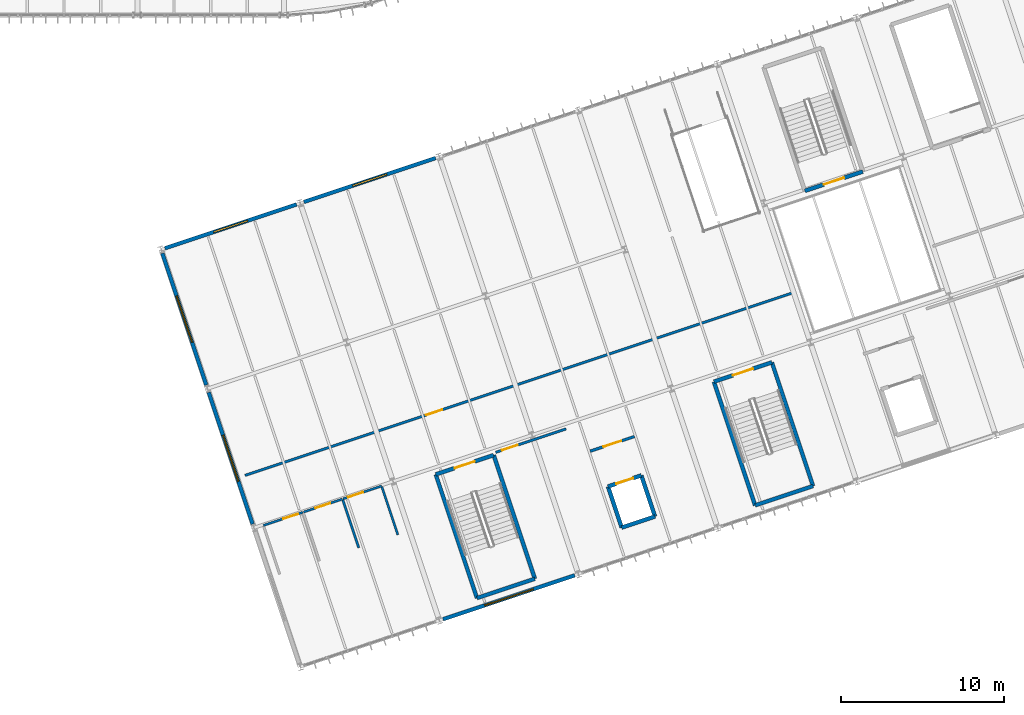
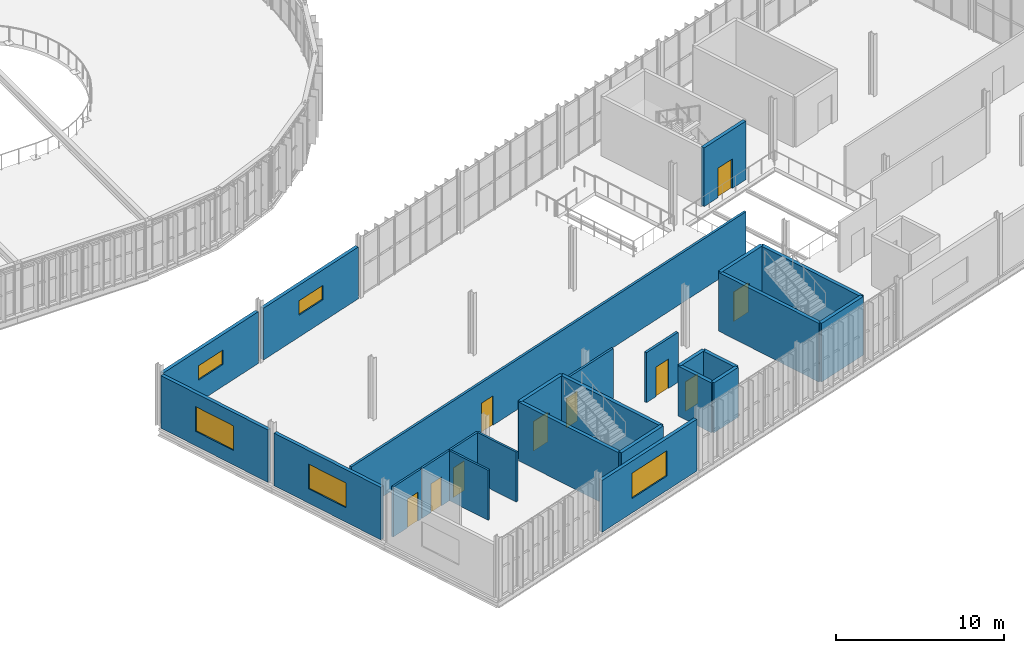
# One storey, part 120 of 152: 26 walls, 10 doors, 5 windows, 15 openings.
"""IFC4 building model written with IfcOpenShell, lengths in metres."""

from ifc_helpers import new_model, si_unit, derived_unit, direction, frame, frame_2d, origin, place, context, subcontext, project, spatial, rectangle, extrude, material, layer, layer_set, type_object, element, fill, save


model = new_model("IFC4")

# Units and contexts
model_context = context("Model", 3, precision=1e-05, world=origin(), true_north=direction((0.0, 1.0)))
body_context = subcontext(model_context, "Body", "Model", "MODEL_VIEW")
ifc_project = project(units=[si_unit("LENGTHUNIT", "METRE"), si_unit("AREAUNIT", "SQUARE_METRE"), si_unit("VOLUMEUNIT", "CUBIC_METRE"), si_unit("PLANEANGLEUNIT", "RADIAN"), si_unit("MASSUNIT", "GRAM", prefix="KILO"), si_unit("THERMODYNAMICTEMPERATUREUNIT", "KELVIN"), si_unit("TIMEUNIT", "SECOND"), derived_unit("THERMALTRANSMITTANCEUNIT", [(si_unit("MASSUNIT", "GRAM", prefix="KILO"), 1), (si_unit("THERMODYNAMICTEMPERATUREUNIT", "KELVIN"), -1), (si_unit("TIMEUNIT", "SECOND"), -3)])], contexts=[model_context])

# Site, building, storey
site_placement = place(None, origin())
site = spatial("IfcSite", under=ifc_project, at=site_placement, CompositionType="ELEMENT")
building_placement = place(site_placement, origin())
building = spatial("IfcBuilding", under=site, at=building_placement, Name="Cambertide Market Hall", CompositionType="ELEMENT")
storey_placement = place(building_placement, frame((0.0, 0.0, 5.39990234375)))
storey = spatial("IfcBuildingStorey", under=building, at=storey_placement, Name="L02", CompositionType="ELEMENT", Elevation=5.39990234375)

# Wall, opening, door
ifc_material_1 = material(Name="Autoclaved Aerated Concrete Blockwork M7.5", Category="masonry")
ifc_layer_1 = layer(ifc_material_1, 0.14990234375, Name="Culinary Classroom Acoustic Partition 150")
ifc_layer_set_1 = layer_set([ifc_layer_1], Name="Autoclaved Aerated Concrete Blockwork M7.5")
wall_type_1 = type_object("IfcWallType", Name="Culinary Classroom Acoustic Partition 150", PredefinedType="PARTITIONING", material=ifc_layer_set_1)
wall_1_placement = place(storey_placement, frame((118.000732421875, 25.1708984375, 0.0), z_axis=(0.0, 0.0, 1.0), x_axis=(0.94869402873, 0.316195572157, 0.0)))
wall_1 = element("IfcWall", 1, at=wall_1_placement, inside=storey, type_object=wall_type_1, Name="Level 2 Interior Wall IW-L02-V3S1", PredefinedType="PARTITIONING", context=body_context, shape_type="SweptSolid", body=[
    extrude(rectangle(XDim=4.550048828125, YDim=0.14990234375, at=frame_2d((2.27490234375, 0.0))), origin(), (0.0, 0.0, 1.0), 3.64013671875),
])
opening_1_placement = place(wall_1_placement, frame((0.39990234375, 0.0, 0.0)))
opening_1 = element("IfcOpeningElement", 2, at=opening_1_placement, cuts=wall_1, Name="Opening ID-03", PredefinedType="OPENING", context=body_context, shape_type="SweptSolid", body=[
    extrude(rectangle(XDim=1.0, YDim=2.14990234375, at=frame_2d((0.5, 1.074951171875))), frame((0.0, 0.0849609375, 0.0), z_axis=(0.0, -1.0, 0.0), x_axis=(1.0, 0.0, 0.0)), (0.0, 0.0, 1.0), 0.169921875),
])
ifc_material_2 = material(Name="Champagne Marine Anodized Aluminium 6063-T6 AA25", Category="aluminium")
door_type_1 = type_object("IfcDoorType", Name="Accessible Room Single Door 1000x2150", OperationType="NOTDEFINED", PredefinedType="DOOR", material=ifc_material_2)
door_1_placement = place(opening_1_placement, frame((1.0, 0.0, 0.0), z_axis=(0.0, 0.0, 1.0), x_axis=(-1.0, 0.0, 0.0)))
door_1 = element("IfcDoor", 3, at=door_1_placement, inside=storey, type_object=door_type_1, Name="Level 2 Door IW-L02-V3S1-DR1", OperationType="SINGLE_SWING_RIGHT", OverallHeight=2.14990234375, OverallWidth=1.0, PredefinedType="DOOR", context=body_context, shape_type="SweptSolid", body=[
    extrude(rectangle(XDim=1.0, YDim=2.14990234375, at=frame_2d((0.5, 1.074951171875))), frame((0.0, 0.02490234375, 0.0), z_axis=(0.0, -1.0, 0.0), x_axis=(1.0, 0.0, 0.0)), (0.0, 0.0, 1.0), 0.050048828125),
])
fill(opening_1, door_1)

ifc_material_3 = material(Name="Autoclaved Aerated Concrete Blockwork M7.5", Category="masonry")
ifc_layer_2 = layer(ifc_material_3, 0.159912109375, Name="Fire-Rated Corridor & Kitchen Partition 160")
ifc_layer_set_2 = layer_set([ifc_layer_2], Name="Autoclaved Aerated Concrete Blockwork M7.5")
wall_type_2 = type_object("IfcWallType", Name="Fire-Rated Corridor & Kitchen Partition 160", PredefinedType="PARTITIONING", material=ifc_layer_set_2)
wall_2_placement = place(storey_placement, frame((102.610107421875, 23.7509765625, 0.0), z_axis=(0.0, 0.0, 1.0), x_axis=(0.948683298051, 0.316227766017, 0.0)))
wall_2 = element("IfcWall", 4, at=wall_2_placement, inside=storey, type_object=wall_type_2, Name="Level 2 Interior Wall IW-L02-V3C-0", PredefinedType="PARTITIONING", context=body_context, shape_type="SweptSolid", body=[
    extrude(rectangle(XDim=35.5, YDim=0.159912109375, at=frame_2d((17.75, 0.0))), origin(), (0.0, 0.0, 1.0), 3.64013671875),
])
opening_2_placement = place(wall_2_placement, frame((11.712890625, 0.0, 0.0)))
opening_2 = element("IfcOpeningElement", 5, at=opening_2_placement, cuts=wall_2, Name="Opening KD-01", PredefinedType="OPENING", context=body_context, shape_type="SweptSolid", body=[
    extrude(rectangle(XDim=1.050048828125, YDim=2.14990234375, at=frame_2d((0.52490234375, 1.074951171875))), frame((0.0, 0.08984375, 0.0), z_axis=(0.0, -1.0, 0.0), x_axis=(1.0, 0.0, 0.0)), (0.0, 0.0, 1.0), 0.179931640625),
])
ifc_material_4 = material(Name="Stainless Steel Grade 316", Category="metal")
door_type_2 = type_object("IfcDoorType", Name="Kitchen & Lab Fire Door 1050x2150", OperationType="NOTDEFINED", PredefinedType="DOOR", material=ifc_material_4)
door_2_placement = place(opening_2_placement, origin())
door_2 = element("IfcDoor", 6, at=door_2_placement, inside=storey, type_object=door_type_2, Name="Level 2 Door IW-L02-V3C-0-DR1", OperationType="SINGLE_SWING_RIGHT", OverallHeight=2.14990234375, OverallWidth=1.050048828125, PredefinedType="DOOR", context=body_context, shape_type="SweptSolid", body=[
    extrude(rectangle(XDim=1.050048828125, YDim=2.14990234375, at=frame_2d((0.52490234375, 1.074951171875))), frame((0.0, 0.02490234375, 0.0), z_axis=(0.0, -1.0, 0.0), x_axis=(1.0, 0.0, 0.0)), (0.0, 0.0, 1.0), 0.050048828125),
])
fill(opening_2, door_2)

# Wall, opening, window
ifc_material_5 = material(Name="Autoclaved Aerated Concrete Blockwork M7.5", Category="masonry")
ifc_layer_3 = layer(ifc_material_5, 0.235107421875, Name="Food Court Acoustic Facade Wall 235")
ifc_layer_set_3 = layer_set([ifc_layer_3], Name="Autoclaved Aerated Concrete Blockwork M7.5")
wall_type_3 = type_object("IfcWallType", Name="Food Court Acoustic Facade Wall 235", PredefinedType="SOLIDWALL", material=ifc_layer_set_3)
wall_3_placement = place(storey_placement, frame((97.689453125, 37.6904296875, 0.0), z_axis=(0.0, 0.0, 1.0), x_axis=(0.948689028943, 0.316210572821, 0.0)))
wall_3 = element("IfcWall", 7, at=wall_3_placement, inside=storey, type_object=wall_type_3, Name="Level 2 Exterior Wall EW-L02-V3N-1", PredefinedType="SOLIDWALL", context=body_context, shape_type="SweptSolid", body=[
    extrude(rectangle(XDim=8.52001953125, YDim=0.235107421875, at=frame_2d((4.260009765625, 0.0))), origin(), (0.0, 0.0, 1.0), 3.775146484375),
])
opening_3_placement = place(wall_3_placement, frame((3.159912109375, 0.0, 1.60009765625)))
opening_3 = element("IfcOpeningElement", 8, at=opening_3_placement, cuts=wall_3, Name="Opening WN-05", PredefinedType="OPENING", context=body_context, shape_type="SweptSolid", body=[
    extrude(rectangle(XDim=2.199951171875, YDim=1.050048828125, at=frame_2d((1.10009765625, 0.52490234375))), frame((0.0, 0.12744140625, 0.0), z_axis=(0.0, -1.0, 0.0), x_axis=(1.0, 0.0, 0.0)), (0.0, 0.0, 1.0), 0.255126953125),
])
ifc_material_6 = material(Name="Low-E Laminated Insulated Glass", Category="glass")
window_type_1 = type_object("IfcWindowType", Name="Commissary Kitchen High Window 2200x1050", PartitioningType="SINGLE_PANEL", PredefinedType="WINDOW", material=ifc_material_6)
window_1_placement = place(opening_3_placement, origin())
window_1 = element("IfcWindow", 9, at=window_1_placement, inside=storey, type_object=window_type_1, Name="Level 2 Window EW-L02-V3N-1-WN", OverallHeight=1.050048828125, OverallWidth=2.199951171875, PartitioningType="SINGLE_PANEL", PredefinedType="WINDOW", context=body_context, shape_type="SweptSolid", body=[
    extrude(rectangle(XDim=2.199951171875, YDim=1.050048828125, at=frame_2d((1.10009765625, 0.52490234375))), frame((0.0, 0.030029296875, 0.0), z_axis=(0.0, -1.0, 0.0), x_axis=(1.0, 0.0, 0.0)), (0.0, 0.0, 1.0), 0.06005859375),
])
fill(opening_3, window_1)

wall_4_placement = place(storey_placement, frame((106.227783203125, 40.536376953125, 0.0), z_axis=(0.0, 0.0, 1.0), x_axis=(0.948680432514, 0.316236362498, 0.0)))
wall_4 = element("IfcWall", 10, at=wall_4_placement, inside=storey, type_object=wall_type_3, Name="Level 2 Exterior Wall EW-L02-V3N-2", PredefinedType="SOLIDWALL", context=body_context, shape_type="SweptSolid", body=[
    extrude(rectangle(XDim=8.52001953125, YDim=0.235107421875, at=frame_2d((4.260009765625, 0.0))), origin(), (0.0, 0.0, 1.0), 3.775146484375),
])
opening_4_placement = place(wall_4_placement, frame((3.159912109375, 0.0, 1.60009765625)))
opening_4 = element("IfcOpeningElement", 11, at=opening_4_placement, cuts=wall_4, Name="Opening WN-05", PredefinedType="OPENING", context=body_context, shape_type="SweptSolid", body=[
    extrude(rectangle(XDim=2.199951171875, YDim=1.050048828125, at=frame_2d((1.10009765625, 0.52490234375))), frame((0.0, 0.12744140625, 0.0), z_axis=(0.0, -1.0, 0.0), x_axis=(1.0, 0.0, 0.0)), (0.0, 0.0, 1.0), 0.255126953125),
])
window_2_placement = place(opening_4_placement, origin())
window_2 = element("IfcWindow", 12, at=window_2_placement, inside=storey, type_object=window_type_1, Name="Level 2 Window EW-L02-V3N-2-WN", OverallHeight=1.050048828125, OverallWidth=2.199951171875, PartitioningType="SINGLE_PANEL", PredefinedType="WINDOW", context=body_context, shape_type="SweptSolid", body=[
    extrude(rectangle(XDim=2.199951171875, YDim=1.050048828125, at=frame_2d((1.10009765625, 0.52490234375))), frame((0.0, 0.030029296875, 0.0), z_axis=(0.0, -1.0, 0.0), x_axis=(1.0, 0.0, 0.0)), (0.0, 0.0, 1.0), 0.06005859375),
])
fill(opening_4, window_2)

wall_5_placement = place(storey_placement, frame((122.8486328125, 17.6162109375, 0.0), z_axis=(0.0, 0.0, 1.0), x_axis=(-0.948680432514, -0.316236362498, 0.0)))
wall_5 = element("IfcWall", 13, at=wall_5_placement, inside=storey, type_object=wall_type_3, Name="Level 2 Exterior Wall EW-L02-V3S-2", PredefinedType="SOLIDWALL", context=body_context, shape_type="SweptSolid", body=[
    extrude(rectangle(XDim=8.52001953125, YDim=0.235107421875, at=frame_2d((4.260009765625, 0.0))), origin(), (0.0, 0.0, 1.0), 3.775146484375),
])
opening_5_placement = place(wall_5_placement, frame((2.68505859375, 0.0, 1.050048828125)))
opening_5 = element("IfcOpeningElement", 14, at=opening_5_placement, cuts=wall_5, Name="Opening WN-04B", PredefinedType="OPENING", context=body_context, shape_type="SweptSolid", body=[
    extrude(rectangle(XDim=3.14990234375, YDim=1.85009765625, at=frame_2d((1.574951171875, 0.925048828125))), frame((0.0, 0.12744140625, 0.0), z_axis=(0.0, -1.0, 0.0), x_axis=(1.0, 0.0, 0.0)), (0.0, 0.0, 1.0), 0.255126953125),
])
ifc_material_7 = material(Name="Low-E Laminated Insulated Glass", Category="glass")
window_type_2 = type_object("IfcWindowType", Name="Riverfront Gallery Window 3150x1850", PartitioningType="SINGLE_PANEL", PredefinedType="WINDOW", material=ifc_material_7)
window_3_placement = place(opening_5_placement, origin())
window_3 = element("IfcWindow", 15, at=window_3_placement, inside=storey, type_object=window_type_2, Name="Level 2 Window EW-L02-V3S-2-WN", OverallHeight=1.85009765625, OverallWidth=3.14990234375, PartitioningType="SINGLE_PANEL", PredefinedType="WINDOW", context=body_context, shape_type="SweptSolid", body=[
    extrude(rectangle(XDim=3.14990234375, YDim=1.85009765625, at=frame_2d((1.574951171875, 0.925048828125))), frame((0.0, 0.030029296875, 0.0), z_axis=(0.0, -1.0, 0.0), x_axis=(1.0, 0.0, 0.0)), (0.0, 0.0, 1.0), 0.06005859375),
])
fill(opening_5, window_3)

wall_6_placement = place(storey_placement, frame((103.078125, 20.765869140625, 0.0), z_axis=(0.0, 0.0, 1.0), x_axis=(-0.316236362498, 0.948680432514, 0.0)))
wall_6 = element("IfcWall", 16, at=wall_6_placement, inside=storey, type_object=wall_type_3, Name="Level 2 Exterior Wall EW-L02-V3W-2", PredefinedType="SOLIDWALL", context=body_context, shape_type="SweptSolid", body=[
    extrude(rectangle(XDim=8.52001953125, YDim=0.235107421875, at=frame_2d((4.260009765625, 0.0))), origin(), (0.0, 0.0, 1.0), 3.8251953125),
])
opening_6_placement = place(wall_6_placement, frame((2.760009765625, 0.0, 1.050048828125)))
opening_6 = element("IfcOpeningElement", 17, at=opening_6_placement, cuts=wall_6, Name="Opening WN-04", PredefinedType="OPENING", context=body_context, shape_type="SweptSolid", body=[
    extrude(rectangle(XDim=3.0, YDim=1.800048828125, at=frame_2d((1.5, 0.89990234375))), frame((0.0, 0.12744140625, 0.0), z_axis=(0.0, -1.0, 0.0), x_axis=(1.0, 0.0, 0.0)), (0.0, 0.0, 1.0), 0.255126953125),
])
ifc_material_8 = material(Name="Low-E Laminated Insulated Glass", Category="glass")
window_type_3 = type_object("IfcWindowType", Name="Hawker Hall Louvered Window 3000x1800", PartitioningType="SINGLE_PANEL", PredefinedType="WINDOW", material=ifc_material_8)
window_4_placement = place(opening_6_placement, origin())
window_4 = element("IfcWindow", 18, at=window_4_placement, inside=storey, type_object=window_type_3, Name="Level 2 Window EW-L02-V3W-2-WN", OverallHeight=1.800048828125, OverallWidth=3.0, PartitioningType="SINGLE_PANEL", PredefinedType="WINDOW", context=body_context, shape_type="SweptSolid", body=[
    extrude(rectangle(XDim=3.0, YDim=1.800048828125, at=frame_2d((1.5, 0.89990234375))), frame((0.0, 0.030029296875, 0.0), z_axis=(0.0, -1.0, 0.0), x_axis=(1.0, 0.0, 0.0)), (0.0, 0.0, 1.0), 0.06005859375),
])
fill(opening_6, window_4)

wall_7_placement = place(storey_placement, frame((100.23193359375, 29.303955078125, 0.0), z_axis=(0.0, 0.0, 1.0), x_axis=(-0.316210572821, 0.948689028943, 0.0)))
wall_7 = element("IfcWall", 19, at=wall_7_placement, inside=storey, type_object=wall_type_3, Name="Level 2 Exterior Wall EW-L02-V3W-3", PredefinedType="SOLIDWALL", context=body_context, shape_type="SweptSolid", body=[
    extrude(rectangle(XDim=8.52001953125, YDim=0.235107421875, at=frame_2d((4.260009765625, 0.0))), origin(), (0.0, 0.0, 1.0), 3.8251953125),
])
opening_7_placement = place(wall_7_placement, frame((2.760009765625, 0.0, 1.050048828125)))
opening_7 = element("IfcOpeningElement", 20, at=opening_7_placement, cuts=wall_7, Name="Opening WN-04", PredefinedType="OPENING", context=body_context, shape_type="SweptSolid", body=[
    extrude(rectangle(XDim=3.0, YDim=1.800048828125, at=frame_2d((1.5, 0.89990234375))), frame((0.0, 0.12744140625, 0.0), z_axis=(0.0, -1.0, 0.0), x_axis=(1.0, 0.0, 0.0)), (0.0, 0.0, 1.0), 0.255126953125),
])
window_5_placement = place(opening_7_placement, origin())
window_5 = element("IfcWindow", 21, at=window_5_placement, inside=storey, type_object=window_type_3, Name="Level 2 Window EW-L02-V3W-3-WN", OverallHeight=1.800048828125, OverallWidth=3.0, PartitioningType="SINGLE_PANEL", PredefinedType="WINDOW", context=body_context, shape_type="SweptSolid", body=[
    extrude(rectangle(XDim=3.0, YDim=1.800048828125, at=frame_2d((1.5, 0.89990234375))), frame((0.0, 0.030029296875, 0.0), z_axis=(0.0, -1.0, 0.0), x_axis=(1.0, 0.0, 0.0)), (0.0, 0.0, 1.0), 0.06005859375),
])
fill(opening_7, window_5)

# Wall, opening, door
ifc_material_9 = material(Name="Autoclaved Aerated Concrete Blockwork M7.5", Category="masonry")
ifc_layer_4 = layer(ifc_material_9, 0.169921875, Name="Lift Lobby Fire Partition 170")
ifc_layer_set_4 = layer_set([ifc_layer_4], Name="Autoclaved Aerated Concrete Blockwork M7.5")
wall_type_4 = type_object("IfcWallType", Name="Lift Lobby Fire Partition 170", PredefinedType="PARTITIONING", material=ifc_layer_set_4)
wall_8_placement = place(storey_placement, frame((123.79736328125, 25.2373046875, 0.0), z_axis=(0.0, 0.0, 1.0), x_axis=(0.94869183448, 0.316202155576, 0.0)))
wall_8 = element("IfcWall", 22, at=wall_8_placement, inside=storey, type_object=wall_type_4, Name="Level 2 Interior Wall LLW-LP-02-L02", PredefinedType="PARTITIONING", context=body_context, shape_type="SweptSolid", body=[
    extrude(rectangle(XDim=2.85986328125, YDim=0.169921875, at=frame_2d((1.429931640625, 0.0))), origin(), (0.0, 0.0, 1.0), 3.64013671875),
])
opening_8_placement = place(wall_8_placement, frame((0.85498046875, 0.0, 0.0)))
opening_8 = element("IfcOpeningElement", 23, at=opening_8_placement, cuts=wall_8, Name="Opening KD-02", PredefinedType="OPENING", context=body_context, shape_type="SweptSolid", body=[
    extrude(rectangle(XDim=1.14990234375, YDim=2.14990234375, at=frame_2d((0.574951171875, 1.074951171875))), frame((0.0, 0.094970703125, 0.0), z_axis=(0.0, -1.0, 0.0), x_axis=(1.0, 0.0, 0.0)), (0.0, 0.0, 1.0), 0.18994140625),
])
ifc_material_10 = material(Name="Stainless Steel Grade 316", Category="metal")
door_type_3 = type_object("IfcDoorType", Name="Lift Lobby Smoke-Stop Door 1150x2150", OperationType="NOTDEFINED", PredefinedType="DOOR", material=ifc_material_10)
door_3_placement = place(opening_8_placement, origin())
door_3 = element("IfcDoor", 24, at=door_3_placement, inside=storey, type_object=door_type_3, Name="Level 2 Door LLW-LP-02-L02-DR1", OperationType="SINGLE_SWING_LEFT", OverallHeight=2.14990234375, OverallWidth=1.14990234375, PredefinedType="DOOR", context=body_context, shape_type="SweptSolid", body=[
    extrude(rectangle(XDim=1.14990234375, YDim=2.14990234375, at=frame_2d((0.574951171875, 1.074951171875))), frame((0.0, 0.02490234375, 0.0), z_axis=(0.0, -1.0, 0.0), x_axis=(1.0, 0.0, 0.0)), (0.0, 0.0, 1.0), 0.050048828125),
])
fill(opening_8, door_3)

ifc_material_11 = material(Name="Autoclaved Aerated Concrete Blockwork M7.5", Category="masonry")
ifc_layer_5 = layer(ifc_material_11, 0.139892578125, Name="Sanitary & Wet-Area Masonry Partition 140")
ifc_layer_set_5 = layer_set([ifc_layer_5], Name="Autoclaved Aerated Concrete Blockwork M7.5")
wall_type_5 = type_object("IfcWallType", Name="Sanitary & Wet-Area Masonry Partition 140", PredefinedType="PARTITIONING", material=ifc_layer_set_5)
wall_9_placement = place(storey_placement, frame((103.739013671875, 20.680419921875, 0.0), z_axis=(0.0, 0.0, 1.0), x_axis=(0.948683298051, 0.316227766017, 0.0)))
wall_9 = element("IfcWall", 25, at=wall_9_placement, inside=storey, type_object=wall_type_5, Name="Level 2 Interior Wall WCW-L02-L02A-F1", PredefinedType="PARTITIONING", context=body_context, shape_type="SweptSolid", body=[
    extrude(rectangle(XDim=2.550048828125, YDim=0.139892578125, at=frame_2d((1.27490234375, 0.0))), origin(), (0.0, 0.0, 1.0), 3.64013671875),
])
opening_9_placement = place(wall_9_placement, frame((1.280029296875, 0.0, 0.0)))
opening_9 = element("IfcOpeningElement", 26, at=opening_9_placement, cuts=wall_9, Name="Opening ID-04", PredefinedType="OPENING", context=body_context, shape_type="SweptSolid", body=[
    extrude(rectangle(XDim=0.949951171875, YDim=2.10009765625, at=frame_2d((0.47509765625, 1.050048828125))), frame((0.0, 0.079833984375, 0.0), z_axis=(0.0, -1.0, 0.0), x_axis=(1.0, 0.0, 0.0)), (0.0, 0.0, 1.0), 0.159912109375),
])
ifc_material_12 = material(Name="Champagne Marine Anodized Aluminium 6063-T6 AA25", Category="aluminium")
door_type_4 = type_object("IfcDoorType", Name="WC & Office Single Door 950x2100", OperationType="NOTDEFINED", PredefinedType="DOOR", material=ifc_material_12)
door_4_placement = place(opening_9_placement, origin())
door_4 = element("IfcDoor", 27, at=door_4_placement, inside=storey, type_object=door_type_4, Name="Level 2 Door WCW-L02-L02A-F1-DR1", OperationType="SINGLE_SWING_LEFT", OverallHeight=2.10009765625, OverallWidth=0.949951171875, PredefinedType="DOOR", context=body_context, shape_type="SweptSolid", body=[
    extrude(rectangle(XDim=0.949951171875, YDim=2.10009765625, at=frame_2d((0.47509765625, 1.050048828125))), frame((0.0, 0.02490234375, 0.0), z_axis=(0.0, -1.0, 0.0), x_axis=(1.0, 0.0, 0.0)), (0.0, 0.0, 1.0), 0.050048828125),
])
fill(opening_9, door_4)

wall_10_placement = place(storey_placement, frame((106.20556640625, 21.502685546875, 0.0), z_axis=(0.0, 0.0, 1.0), x_axis=(0.948683298051, 0.316227766017, 0.0)))
wall_10 = element("IfcWall", 28, at=wall_10_placement, inside=storey, type_object=wall_type_5, Name="Level 2 Interior Wall WCW-L02-L02A-F2", PredefinedType="PARTITIONING", context=body_context, shape_type="SweptSolid", body=[
    extrude(rectangle(XDim=2.499755859375, YDim=0.139892578125, at=frame_2d((1.25, 0.0))), origin(), (0.0, 0.0, 1.0), 3.64013671875),
])
opening_10_placement = place(wall_10_placement, frame((0.77490234375, 0.0, 0.0)))
opening_10 = element("IfcOpeningElement", 29, at=opening_10_placement, cuts=wall_10, Name="Opening ID-04", PredefinedType="OPENING", context=body_context, shape_type="SweptSolid", body=[
    extrude(rectangle(XDim=0.949951171875, YDim=2.10009765625, at=frame_2d((0.47509765625, 1.050048828125))), frame((0.0, 0.079833984375, 0.0), z_axis=(0.0, -1.0, 0.0), x_axis=(1.0, 0.0, 0.0)), (0.0, 0.0, 1.0), 0.159912109375),
])
door_5_placement = place(opening_10_placement, origin())
door_5 = element("IfcDoor", 30, at=door_5_placement, inside=storey, type_object=door_type_4, Name="Level 2 Door WCW-L02-L02A-F2-DR1", OperationType="SINGLE_SWING_RIGHT", OverallHeight=2.10009765625, OverallWidth=0.949951171875, PredefinedType="DOOR", context=body_context, shape_type="SweptSolid", body=[
    extrude(rectangle(XDim=0.949951171875, YDim=2.10009765625, at=frame_2d((0.47509765625, 1.050048828125))), frame((0.0, 0.02490234375, 0.0), z_axis=(0.0, -1.0, 0.0), x_axis=(1.0, 0.0, 0.0)), (0.0, 0.0, 1.0), 0.050048828125),
])
fill(opening_10, door_5)

wall_11_placement = place(storey_placement, frame((108.624755859375, 22.30908203125, 0.0), z_axis=(0.0, 0.0, 1.0), x_axis=(0.948683298051, 0.316227766017, 0.0)))
wall_11 = element("IfcWall", 31, at=wall_11_placement, inside=storey, type_object=wall_type_5, Name="Level 2 Interior Wall WCW-L02-L02A-F3", PredefinedType="PARTITIONING", context=body_context, shape_type="SweptSolid", body=[
    extrude(rectangle(XDim=2.499755859375, YDim=0.139892578125, at=frame_2d((1.25, 0.0))), origin(), (0.0, 0.0, 1.0), 3.64013671875),
])
opening_11_placement = place(wall_11_placement, frame((0.320068359375, 0.0, 0.0)))
opening_11 = element("IfcOpeningElement", 32, at=opening_11_placement, cuts=wall_11, Name="Opening ID-05", PredefinedType="OPENING", context=body_context, shape_type="SweptSolid", body=[
    extrude(rectangle(XDim=0.97998046875, YDim=2.14990234375, at=frame_2d((0.489990234375, 1.074951171875))), frame((0.0, 0.079833984375, 0.0), z_axis=(0.0, -1.0, 0.0), x_axis=(1.0, 0.0, 0.0)), (0.0, 0.0, 1.0), 0.159912109375),
])
ifc_material_13 = material(Name="Champagne Marine Anodized Aluminium 6063-T6 AA25", Category="aluminium")
door_type_5 = type_object("IfcDoorType", Name="Accessible WC Outward Door 980x2150", OperationType="NOTDEFINED", PredefinedType="DOOR", material=ifc_material_13)
door_6_placement = place(opening_11_placement, origin())
door_6 = element("IfcDoor", 33, at=door_6_placement, inside=storey, type_object=door_type_5, Name="Level 2 Door WCW-L02-L02A-F3-DR1", OperationType="SINGLE_SWING_LEFT", OverallHeight=2.14990234375, OverallWidth=0.97998046875, PredefinedType="DOOR", context=body_context, shape_type="SweptSolid", body=[
    extrude(rectangle(XDim=0.97998046875, YDim=2.14990234375, at=frame_2d((0.489990234375, 1.074951171875))), frame((0.0, 0.02490234375, 0.0), z_axis=(0.0, -1.0, 0.0), x_axis=(1.0, 0.0, 0.0)), (0.0, 0.0, 1.0), 0.050048828125),
])
fill(opening_11, door_6)

# Walls
for number, where, z_axis, x_axis, name in (
    (34, (109.59228515625, 19.311279296875, 0.0), (0.0, 0.0, 1.0), (-0.316204139208, 0.948691173326, 0.0), "Level 2 Interior Wall WCW-L02-L02A-D2"),
    (35, (111.992431640625, 20.111328125, 0.0), (0.0, 0.0, 1.0), (-0.316204139208, 0.948691173326, 0.0), "Level 2 Interior Wall WCW-L02-L02A-R"),
):
    element("IfcWall", number, at=place(storey_placement, frame(where, z_axis=z_axis, x_axis=x_axis)), inside=storey, type_object=wall_type_5, Name=name, PredefinedType="PARTITIONING", context=body_context, shape_type="SweptSolid", body=[
        extrude(rectangle(XDim=3.099853515625, YDim=0.139892578125, at=frame_2d((1.5498046875, 0.0))), origin(), (0.0, 0.0, 1.0), 3.64013671875),
    ])

# Wall, opening, door
ifc_material_14 = material(Name="Concrete B35", Category="concrete")
ifc_layer_6 = layer(ifc_material_14, 0.239990234375, Name="Stair & Lift Core Shaft Wall 240")
ifc_layer_set_6 = layer_set([ifc_layer_6], Name="Concrete B35")
wall_type_6 = type_object("IfcWallType", Name="Stair & Lift Core Shaft Wall 240", PredefinedType="SOLIDWALL", material=ifc_layer_set_6)
wall_12_placement = place(storey_placement, frame((114.31689453125, 23.81103515625, 0.0), z_axis=(0.0, 0.0, 1.0), x_axis=(0.948670276792, 0.316266827111, 0.0)))
wall_12 = element("IfcWall", 36, at=wall_12_placement, inside=storey, type_object=wall_type_6, Name="Level 2 Interior Wall SHW-ST-05A-L02-NEAR", PredefinedType="SOLIDWALL", context=body_context, shape_type="SweptSolid", body=[
    extrude(rectangle(XDim=3.75, YDim=0.239990234375, at=frame_2d((1.875, 0.0))), origin(), (0.0, 0.0, 1.0), 4.27001953125),
])
opening_12_placement = place(wall_12_placement, frame((1.22509765625, 0.0, 0.0)))
opening_12 = element("IfcOpeningElement", 37, at=opening_12_placement, cuts=wall_12, Name="Opening FD-01", PredefinedType="OPENING", context=body_context, shape_type="SweptSolid", body=[
    extrude(rectangle(XDim=1.300048828125, YDim=2.14990234375, at=frame_2d((0.64990234375, 1.074951171875))), frame((0.0, 0.1298828125, 0.0), z_axis=(0.0, -1.0, 0.0), x_axis=(1.0, 0.0, 0.0)), (0.0, 0.0, 1.0), 0.260009765625),
])
ifc_material_15 = material(Name="Powder-Coated Galvanized Sheet Metal", Category="metal")
door_type_6 = type_object("IfcDoorType", Name="Stair Core Fire Door 1300x2150", OperationType="NOTDEFINED", PredefinedType="DOOR", material=ifc_material_15)
door_7_placement = place(opening_12_placement, origin())
door_7 = element("IfcDoor", 38, at=door_7_placement, inside=storey, type_object=door_type_6, Name="Level 2 Door SHW-ST-05A-L02-NEAR-DR1", OperationType="SINGLE_SWING_RIGHT", OverallHeight=2.14990234375, OverallWidth=1.300048828125, PredefinedType="DOOR", context=body_context, shape_type="SweptSolid", body=[
    extrude(rectangle(XDim=1.300048828125, YDim=2.14990234375, at=frame_2d((0.64990234375, 1.074951171875))), frame((0.0, 0.02490234375, 0.0), z_axis=(0.0, -1.0, 0.0), x_axis=(1.0, 0.0, 0.0)), (0.0, 0.0, 1.0), 0.050048828125),
])
fill(opening_12, door_7)

# Walls
wall_13_placement = place(storey_placement, frame((116.8466796875, 16.2216796875, 0.0), z_axis=(0.0, 0.0, 1.0), x_axis=(-0.316227766017, 0.948683298051, 0.0)))
element("IfcWall", 39, at=wall_13_placement, inside=storey, type_object=wall_type_6, Name="Level 2 Interior Wall SHW-ST-05A-L02-L", PredefinedType="SOLIDWALL", context=body_context, shape_type="SweptSolid", body=[
    extrude(rectangle(XDim=8.0, YDim=0.239990234375, at=frame_2d((4.0, 0.0))), origin(), (0.0, 0.0, 1.0), 4.27001953125),
])
wall_14_placement = place(storey_placement, frame((120.404296875, 17.407470703125, 0.0), z_axis=(0.0, 0.0, 1.0), x_axis=(-0.94868980821, -0.316208234867, 0.0)))
element("IfcWall", 40, at=wall_14_placement, inside=storey, type_object=wall_type_6, Name="Level 2 Interior Wall SHW-ST-05A-L02-FAR", PredefinedType="SOLIDWALL", context=body_context, shape_type="SweptSolid", body=[
    extrude(rectangle(XDim=3.75, YDim=0.239990234375, at=frame_2d((1.875, 0.0))), origin(), (0.0, 0.0, 1.0), 4.27001953125),
])
wall_15_placement = place(storey_placement, frame((117.87451171875, 24.9970703125, 0.0), z_axis=(0.0, 0.0, 1.0), x_axis=(0.31621861086, -0.94868634972, 0.0)))
element("IfcWall", 41, at=wall_15_placement, inside=storey, type_object=wall_type_6, Name="Level 2 Interior Wall SHW-ST-05A-L02-R", PredefinedType="SOLIDWALL", context=body_context, shape_type="SweptSolid", body=[
    extrude(rectangle(XDim=8.0, YDim=0.239990234375, at=frame_2d((4.0, 0.0))), origin(), (0.0, 0.0, 1.0), 4.27001953125),
])

# Wall, opening, door
wall_16_placement = place(storey_placement, frame((131.39306640625, 29.503173828125, 0.0), z_axis=(0.0, 0.0, 1.0), x_axis=(0.948670276792, 0.316266827111, 0.0)))
wall_16 = element("IfcWall", 42, at=wall_16_placement, inside=storey, type_object=wall_type_6, Name="Level 2 Interior Wall SHW-ST-06A-L02-NEAR", PredefinedType="SOLIDWALL", context=body_context, shape_type="SweptSolid", body=[
    extrude(rectangle(XDim=3.75, YDim=0.239990234375, at=frame_2d((1.875, 0.0))), origin(), (0.0, 0.0, 1.0), 4.27001953125),
])
opening_13_placement = place(wall_16_placement, frame((1.22509765625, 0.0, 0.0)))
opening_13 = element("IfcOpeningElement", 43, at=opening_13_placement, cuts=wall_16, Name="Opening FD-01", PredefinedType="OPENING", context=body_context, shape_type="SweptSolid", body=[
    extrude(rectangle(XDim=1.300048828125, YDim=2.14990234375, at=frame_2d((0.64990234375, 1.074951171875))), frame((0.0, 0.1298828125, 0.0), z_axis=(0.0, -1.0, 0.0), x_axis=(1.0, 0.0, 0.0)), (0.0, 0.0, 1.0), 0.260009765625),
])
door_8_placement = place(opening_13_placement, origin())
door_8 = element("IfcDoor", 44, at=door_8_placement, inside=storey, type_object=door_type_6, Name="Level 2 Door SHW-ST-06A-L02-NEAR-DR1", OperationType="SINGLE_SWING_LEFT", OverallHeight=2.14990234375, OverallWidth=1.300048828125, PredefinedType="DOOR", context=body_context, shape_type="SweptSolid", body=[
    extrude(rectangle(XDim=1.300048828125, YDim=2.14990234375, at=frame_2d((0.64990234375, 1.074951171875))), frame((0.0, 0.02490234375, 0.0), z_axis=(0.0, -1.0, 0.0), x_axis=(1.0, 0.0, 0.0)), (0.0, 0.0, 1.0), 0.050048828125),
])
fill(opening_13, door_8)

# Walls
wall_17_placement = place(storey_placement, frame((133.9228515625, 21.913818359375, 0.0), z_axis=(0.0, 0.0, 1.0), x_axis=(-0.316227766017, 0.948683298051, 0.0)))
element("IfcWall", 45, at=wall_17_placement, inside=storey, type_object=wall_type_6, Name="Level 2 Interior Wall SHW-ST-06A-L02-L", PredefinedType="SOLIDWALL", context=body_context, shape_type="SweptSolid", body=[
    extrude(rectangle(XDim=8.0, YDim=0.239990234375, at=frame_2d((4.0, 0.0))), origin(), (0.0, 0.0, 1.0), 4.27001953125),
])
wall_18_placement = place(storey_placement, frame((137.48046875, 23.099609375, 0.0), z_axis=(0.0, 0.0, 1.0), x_axis=(-0.94868980821, -0.316208234867, 0.0)))
element("IfcWall", 46, at=wall_18_placement, inside=storey, type_object=wall_type_6, Name="Level 2 Interior Wall SHW-ST-06A-L02-FAR", PredefinedType="SOLIDWALL", context=body_context, shape_type="SweptSolid", body=[
    extrude(rectangle(XDim=3.75, YDim=0.239990234375, at=frame_2d((1.875, 0.0))), origin(), (0.0, 0.0, 1.0), 4.27001953125),
])
wall_19_placement = place(storey_placement, frame((134.95068359375, 30.689208984375, 0.0), z_axis=(0.0, 0.0, 1.0), x_axis=(0.31621861086, -0.94868634972, 0.0)))
element("IfcWall", 47, at=wall_19_placement, inside=storey, type_object=wall_type_6, Name="Level 2 Interior Wall SHW-ST-06A-L02-R", PredefinedType="SOLIDWALL", context=body_context, shape_type="SweptSolid", body=[
    extrude(rectangle(XDim=8.0, YDim=0.239990234375, at=frame_2d((4.0, 0.0))), origin(), (0.0, 0.0, 1.0), 4.27001953125),
])

# Wall, opening, door
wall_20_placement = place(storey_placement, frame((140.531982421875, 42.4052734375, 0.0), z_axis=(0.0, 0.0, 1.0), x_axis=(-0.948683298051, -0.316227766017, 0.0)))
wall_20 = element("IfcWall", 48, at=wall_20_placement, inside=storey, type_object=wall_type_6, Name="Level 2 Interior Wall SHW-ST-06B-L02-NEAR", PredefinedType="SOLIDWALL", context=body_context, shape_type="SweptSolid", body=[
    extrude(rectangle(XDim=3.749755859375, YDim=0.239990234375, at=frame_2d((1.875, 0.0))), origin(), (0.0, 0.0, 1.0), 4.27001953125),
])
opening_14_placement = place(wall_20_placement, frame((1.22509765625, 0.0, 0.0)))
opening_14 = element("IfcOpeningElement", 49, at=opening_14_placement, cuts=wall_20, Name="Opening FD-01", PredefinedType="OPENING", context=body_context, shape_type="SweptSolid", body=[
    extrude(rectangle(XDim=1.300048828125, YDim=2.14990234375, at=frame_2d((0.64990234375, 1.074951171875))), frame((0.0, 0.1298828125, 0.0), z_axis=(0.0, -1.0, 0.0), x_axis=(1.0, 0.0, 0.0)), (0.0, 0.0, 1.0), 0.260009765625),
])
door_9_placement = place(opening_14_placement, origin())
door_9 = element("IfcDoor", 50, at=door_9_placement, inside=storey, type_object=door_type_6, Name="Level 2 Door SHW-ST-06B-L02-NEAR-DR1", OperationType="SINGLE_SWING_LEFT", OverallHeight=2.14990234375, OverallWidth=1.300048828125, PredefinedType="DOOR", context=body_context, shape_type="SweptSolid", body=[
    extrude(rectangle(XDim=1.300048828125, YDim=2.14990234375, at=frame_2d((0.64990234375, 1.074951171875))), frame((0.0, 0.02490234375, 0.0), z_axis=(0.0, -1.0, 0.0), x_axis=(1.0, 0.0, 0.0)), (0.0, 0.0, 1.0), 0.050048828125),
])
fill(opening_14, door_9)

# Wall
wall_21_placement = place(storey_placement, frame((127.778564453125, 21.230712890625, 0.0), z_axis=(0.0, 0.0, 1.0), x_axis=(-0.948671994311, -0.316261675215, 0.0)))
element("IfcWall", 51, at=wall_21_placement, inside=storey, type_object=wall_type_6, Name="Level 2 Interior Wall LSH-LP-02-L02-S", PredefinedType="SOLIDWALL", context=body_context, shape_type="SweptSolid", body=[
    extrude(rectangle(XDim=2.159912109375, YDim=0.239990234375, at=frame_2d((1.080078125, 0.0))), origin(), (0.0, 0.0, 1.0), 3.64013671875),
])

# Wall, opening, door
wall_22_placement = place(storey_placement, frame((124.88818359375, 23.071044921875, 0.0), z_axis=(0.0, 0.0, 1.0), x_axis=(0.948683298051, 0.316227766017, 0.0)))
wall_22 = element("IfcWall", 52, at=wall_22_placement, inside=storey, type_object=wall_type_6, Name="Level 2 Interior Wall LSH-LP-02-L02-N", PredefinedType="SOLIDWALL", context=body_context, shape_type="SweptSolid", body=[
    extrude(rectangle(XDim=2.16015625, YDim=0.239990234375, at=frame_2d((1.080078125, 0.0))), origin(), (0.0, 0.0, 1.0), 3.64013671875),
])
opening_15_placement = place(wall_22_placement, frame((0.530029296875, 0.0, 0.0)))
opening_15 = element("IfcOpeningElement", 53, at=opening_15_placement, cuts=wall_22, Name="Opening LD-01", PredefinedType="OPENING", context=body_context, shape_type="SweptSolid", body=[
    extrude(rectangle(XDim=1.10009765625, YDim=2.14990234375, at=frame_2d((0.550048828125, 1.074951171875))), frame((0.0, 0.1298828125, 0.0), z_axis=(0.0, -1.0, 0.0), x_axis=(1.0, 0.0, 0.0)), (0.0, 0.0, 1.0), 0.260009765625),
])
ifc_material_16 = material(Name="Stainless Steel Grade 316", Category="metal")
door_type_7 = type_object("IfcDoorType", Name="Passenger Lift Sliding Landing Door 1100x2150", OperationType="DOUBLE_DOOR_SLIDING", PredefinedType="DOOR", material=ifc_material_16)
door_10_placement = place(opening_15_placement, origin())
door_10 = element("IfcDoor", 54, at=door_10_placement, inside=storey, type_object=door_type_7, Name="Level 2 Door LSH-LP-02-L02-N-DR1", OperationType="DOUBLE_DOOR_SLIDING", OverallHeight=2.14990234375, OverallWidth=1.10009765625, PredefinedType="DOOR", context=body_context, shape_type="SweptSolid", body=[
    extrude(rectangle(XDim=1.10009765625, YDim=2.14990234375, at=frame_2d((0.550048828125, 1.074951171875))), frame((0.0, 0.02490234375, 0.0), z_axis=(0.0, -1.0, 0.0), x_axis=(1.0, 0.0, 0.0)), (0.0, 0.0, 1.0), 0.050048828125),
])
fill(opening_15, door_10)

# Walls
for number, where, z_axis, x_axis, name in (
    (55, (125.7294921875, 20.547607421875, 0.0), (0.0, 0.0, 1.0), (-0.316282835043, 0.948664939932, 0.0), "Level 2 Interior Wall LSH-LP-02-L02-W"),
    (56, (126.9375, 23.754150390625, 0.0), (0.0, 0.0, 1.0), (0.316200230305, -0.948692476177, 0.0), "Level 2 Interior Wall LSH-LP-02-L02-E"),
):
    element("IfcWall", number, at=place(storey_placement, frame(where, z_axis=z_axis, x_axis=x_axis)), inside=storey, type_object=wall_type_6, Name=name, PredefinedType="SOLIDWALL", context=body_context, shape_type="SweptSolid", body=[
        extrude(rectangle(XDim=2.659912109375, YDim=0.239990234375, at=frame_2d((1.330078125, 0.0))), origin(), (0.0, 0.0, 1.0), 3.64013671875),
    ])

save(model, "model.ifc")
